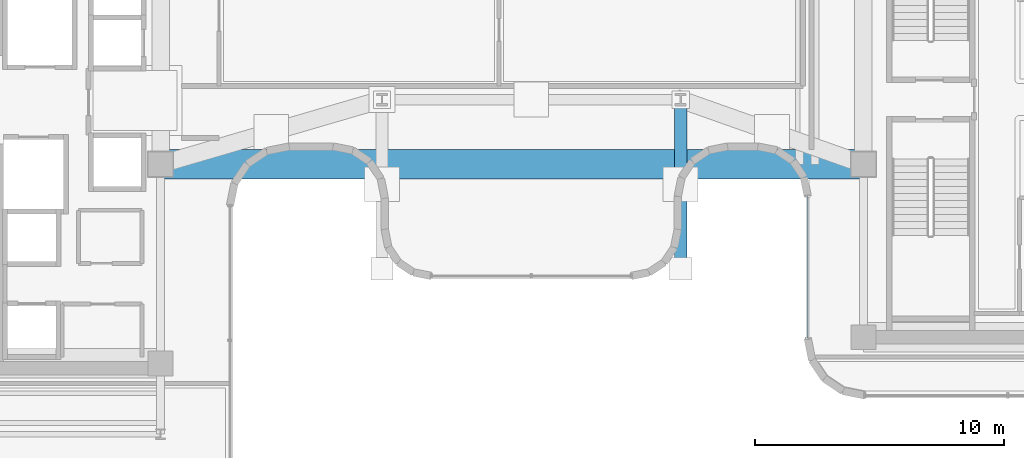
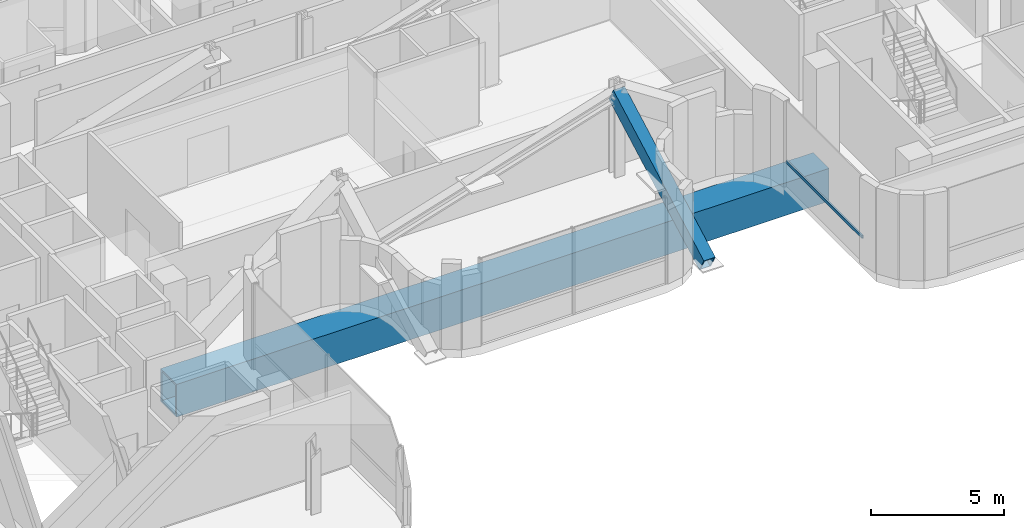
# One storey, part 10 of 37: 2 members, 1 beam, 1 element without a shape of its own.
"""IFC4 building model written with IfcOpenShell, lengths in metres."""

from ifc_helpers import new_model, si_unit, direction, frame, origin, origin_2d, place, context, subcontext, project, spatial, hollow_rectangle, extrude, source, transform, mapped, material, material_profile, profile_set, type_object, element, aggregate, save


model = new_model("IFC4")

# Units and contexts
model_context = context("Model", 3, precision=1e-05, world=origin(), true_north=direction((0.0, 1.0)))
body_context = subcontext(model_context, "Body", "Model", "MODEL_VIEW")
ifc_project = project(units=[si_unit("LENGTHUNIT", "METRE"), si_unit("AREAUNIT", "SQUARE_METRE"), si_unit("VOLUMEUNIT", "CUBIC_METRE"), si_unit("PLANEANGLEUNIT", "RADIAN"), si_unit("MASSUNIT", "GRAM", prefix="KILO")], contexts=[model_context])

# Site, building, storey
site_placement = place(None, origin())
site = spatial("IfcSite", under=ifc_project, at=site_placement, CompositionType="ELEMENT")
building_placement = place(site_placement, origin())
building = spatial("IfcBuilding", under=site, at=building_placement, Name="Valdorenza Pilgrim Sanctuary Tower", CompositionType="ELEMENT")
storey_placement = place(building_placement, frame((0.0, 0.0, 172.300048828125)))
storey = spatial("IfcBuildingStorey", under=building, at=storey_placement, Name="L44", CompositionType="ELEMENT", Elevation=172.300048828125)

# Beam
ifc_material_1 = material(Name="Steel ASTM A572 Grade 42", Category="steel")
ifc_material_profile_1 = material_profile(ifc_material_1, hollow_rectangle(XDim=1.199951171875, YDim=1.5, WallThickness=0.090087890625, at=origin_2d()), Name="BOX 1200x1500x90")
ifc_profile_set_1 = profile_set([ifc_material_profile_1], Name="Steel ASTM A572 Grade 42")
beam_type = type_object("IfcBeamType", Name="STR-BM-TRF-1500", PredefinedType="BEAM", material=ifc_profile_set_1)
shared_shape_1 = source(origin(), body_context, "Body", "SweptSolid", [
    extrude(hollow_rectangle(XDim=1.199951171875, YDim=1.5, WallThickness=0.090087890625, at=origin_2d()), origin(), (0.0, 0.0, 1.0), 28.25),
])
beam_placement = place(storey_placement, frame((-12.39990234375, -2.60009765625, -1.150146484375), z_axis=(1.0, 0.0, 0.0), x_axis=(0.0, 1.0, 0.0)))
element("IfcBeam", 1, at=beam_placement, inside=storey, type_object=beam_type, Name="L44 Portal Bridge Transfer Girder PRY-G0-P0", PredefinedType="BEAM", context=body_context, shape_type="MappedRepresentation", body=[
    mapped(shared_shape_1, transform((0.0, 0.0, 0.0), x_axis=(1.0, 0.0, 0.0), y_axis=(0.0, 1.0, 0.0), z_axis=(0.0, 0.0, 1.0), scale=1.0)),
])

# Member
ifc_material_profile_2 = material_profile(ifc_material_1, hollow_rectangle(XDim=0.5, YDim=0.699951171875, WallThickness=0.050048828125, at=origin_2d()), Name="BOX 700x500x50")
ifc_profile_set_2 = profile_set([ifc_material_profile_2], Name="Steel ASTM A572 Grade 42")
member_type_1 = type_object("IfcMemberType", Name="STR-MB-PROW-CHORD", PredefinedType="CHORD", material=ifc_profile_set_2)
shared_shape_2 = source(origin(), body_context, "Body", "SweptSolid", [
    extrude(hollow_rectangle(XDim=0.5, YDim=0.699951171875, WallThickness=0.050048828125, at=origin_2d()), origin(), (0.0, 0.0, 1.0), 7.741455078125),
])
member_1_placement = place(storey_placement, frame((8.5, -6.800048828125, 0.0), z_axis=(0.0, 0.87839285687, 0.477939315186), x_axis=(-1.0, 0.0, 0.0)))
element("IfcMember", 2, at=member_1_placement, inside=storey, type_object=member_type_1, Name="South Sanctuary Prow Truss Tie E", PredefinedType="CHORD", context=body_context, shape_type="MappedRepresentation", body=[
    mapped(shared_shape_2, transform((0.0, 0.0, 0.0), x_axis=(1.0, 0.0, 0.0), y_axis=(0.0, 1.0, 0.0), z_axis=(0.0, 0.0, 1.0), scale=1.0)),
])

# Curtain wall, member
ifc_material_2 = material(Name="Curtain-wall IGU glazing", Category="glass")
curtain_wall_type = type_object("IfcCurtainWallType", Name="CW-SYS-05", PredefinedType="NOTDEFINED", material=ifc_material_2)
curtain_wall_placement = place(storey_placement, origin())
curtain_wall = element("IfcCurtainWall", 3, at=curtain_wall_placement, inside=storey, type_object=curtain_wall_type, Name="L44 Curtain Wall CW-L44-1-47", PredefinedType="NOTDEFINED")
ifc_material_3 = material(Name="Anodised aluminium AW-6060", Category="aluminium")
ifc_material_profile_3 = material_profile(ifc_material_3, hollow_rectangle(XDim=0.070068359375, YDim=0.139892578125, WallThickness=0.00341796875, at=origin_2d()), Name="ALU-T 140x70x3.5")
ifc_profile_set_3 = profile_set([ifc_material_profile_3], Name="Anodised aluminium AW-6060")
member_type_2 = type_object("IfcMemberType", Name="CW-TRN-05", PredefinedType="USERDEFINED", material=ifc_profile_set_3)
shared_shape_3 = source(origin(), body_context, "Body", "SweptSolid", [
    extrude(hollow_rectangle(XDim=0.070068359375, YDim=0.139892578125, WallThickness=0.00341796875, at=origin_2d()), origin(), (0.0, 0.0, 1.0), 5.699951171875),
])
member_2_placement = place(storey_placement, frame((13.610107421875, -9.589111328125, 1.119873046875), z_axis=(0.0, 1.0, 0.0), x_axis=(-1.0, 0.0, 0.0)))
member_2 = element("IfcMember", 4, at=member_2_placement, type_object=member_type_2, Name="CW-L44-1-47 Transom 1", ObjectType="TRANSOM", PredefinedType="USERDEFINED", context=body_context, shape_type="MappedRepresentation", body=[
    mapped(shared_shape_3, transform((0.0, 0.0, 0.0), x_axis=(1.0, 0.0, 0.0), y_axis=(0.0, 1.0, 0.0), z_axis=(0.0, 0.0, 1.0), scale=1.0)),
])
aggregate(curtain_wall, [member_2])

save(model, "model.ifc")
